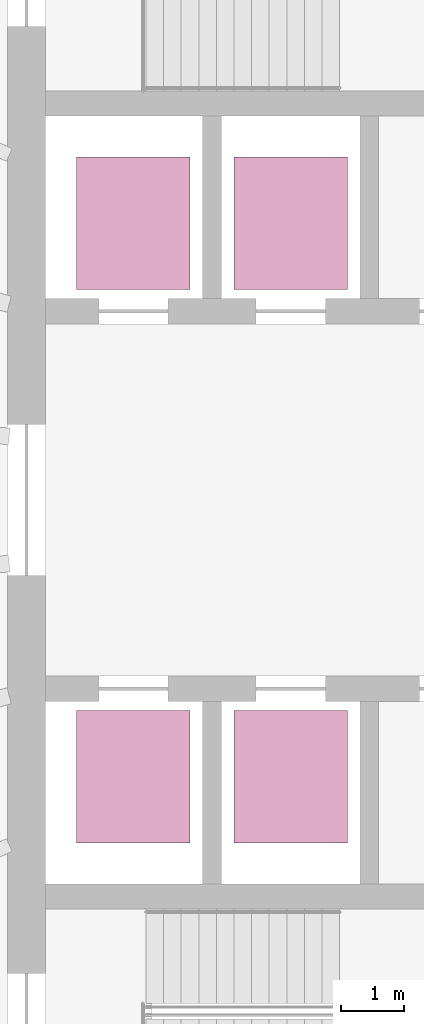
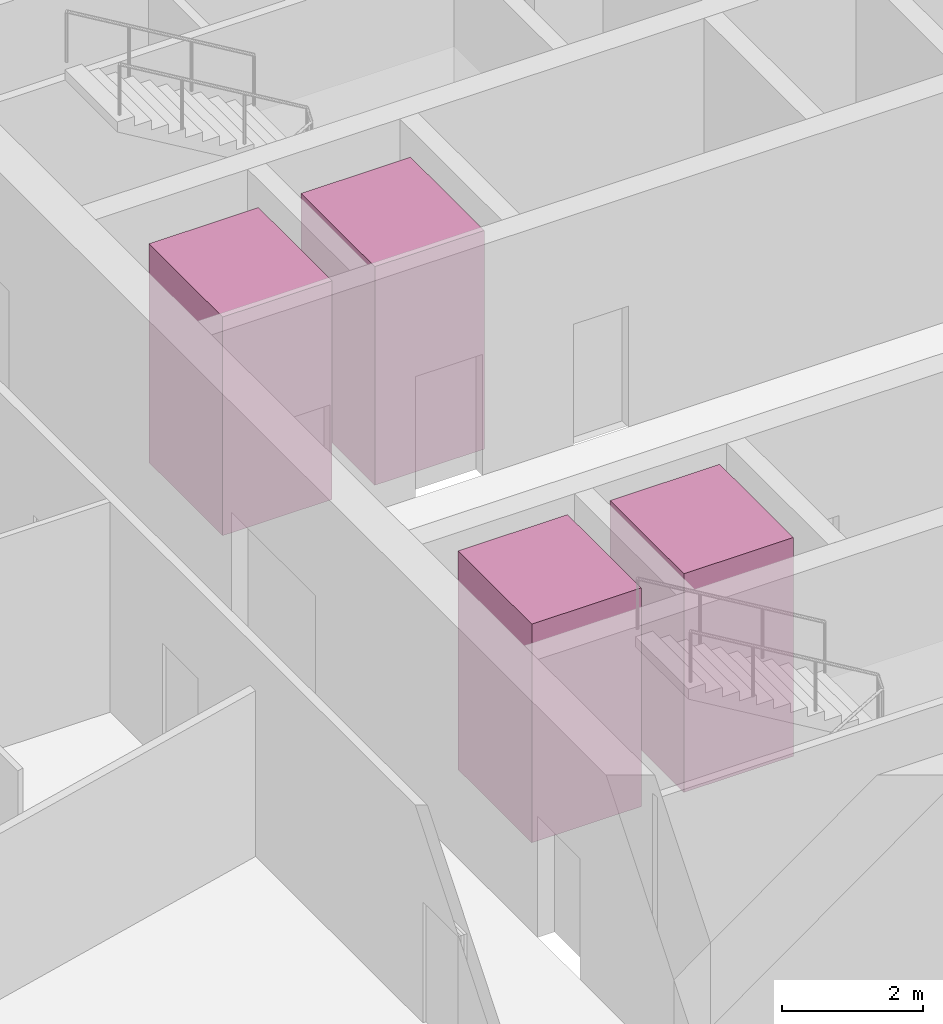
# One storey, part 10 of 10: 4 transport elements.
"""IFC4 building model written with IfcOpenShell, lengths in metres."""

from ifc_helpers import new_model, si_unit, direction, frame, origin, origin_2d, place, context, subcontext, project, spatial, rectangle, extrude, material, type_object, element, save


model = new_model("IFC4")

# Units and contexts
model_context = context("Model", 3, precision=1e-05, world=origin(), true_north=direction((0.0, 1.0)))
body_context = subcontext(model_context, "Body", "Model", "MODEL_VIEW")
ifc_project = project(units=[si_unit("LENGTHUNIT", "METRE"), si_unit("AREAUNIT", "SQUARE_METRE"), si_unit("VOLUMEUNIT", "CUBIC_METRE"), si_unit("PLANEANGLEUNIT", "RADIAN"), si_unit("MASSUNIT", "GRAM", prefix="KILO")], contexts=[model_context])

# Site, building, storey
site_placement = place(None, origin())
site = spatial("IfcSite", under=ifc_project, at=site_placement, CompositionType="ELEMENT")
building_placement = place(site_placement, origin())
building = spatial("IfcBuilding", under=site, at=building_placement, Name="Halqa Exchange Tower", CompositionType="ELEMENT")
storey_placement = place(building_placement, frame((0.0, 0.0, 324.300048828125)))
storey = spatial("IfcBuildingStorey", under=building, at=storey_placement, Name="L76", CompositionType="ELEMENT", Elevation=324.300048828125)

# Transport elements
ifc_material = material(Name="Stainless steel", Category="steel")
transport_element_type = type_object("IfcTransportElementType", Name="High-rise passenger lift 1800 x 2100", PredefinedType="ELEVATOR", material=ifc_material)
for number, where, z_axis, x_axis, name in (
    (1, (-10.0, 4.39990234375, 0.0), (0.0, 0.0, 1.0), (1.0, 0.0, 0.0), "High-rise passenger lift HR1"),
    (2, (-7.5, 4.39990234375, 0.0), (0.0, 0.0, 1.0), (1.0, 0.0, 0.0), "High-rise passenger lift HR2"),
    (3, (-10.0, -4.39990234375, 0.0), (0.0, 0.0, 1.0), (1.0, 0.0, 0.0), "High-rise passenger lift HR3"),
    (4, (-7.5, -4.39990234375, 0.0), (0.0, 0.0, 1.0), (1.0, 0.0, 0.0), "High-rise passenger lift HR4"),
):
    element("IfcTransportElement", number, at=place(storey_placement, frame(where, z_axis=z_axis, x_axis=x_axis)), inside=storey, type_object=transport_element_type, Name=name, PredefinedType="ELEVATOR", context=body_context, shape_type="SweptSolid", body=[
        extrude(rectangle(XDim=1.800048828125, YDim=2.10009765625, at=origin_2d()), origin(), (0.0, 0.0, 1.0), 3.800048828125),
    ])

save(model, "model.ifc")
